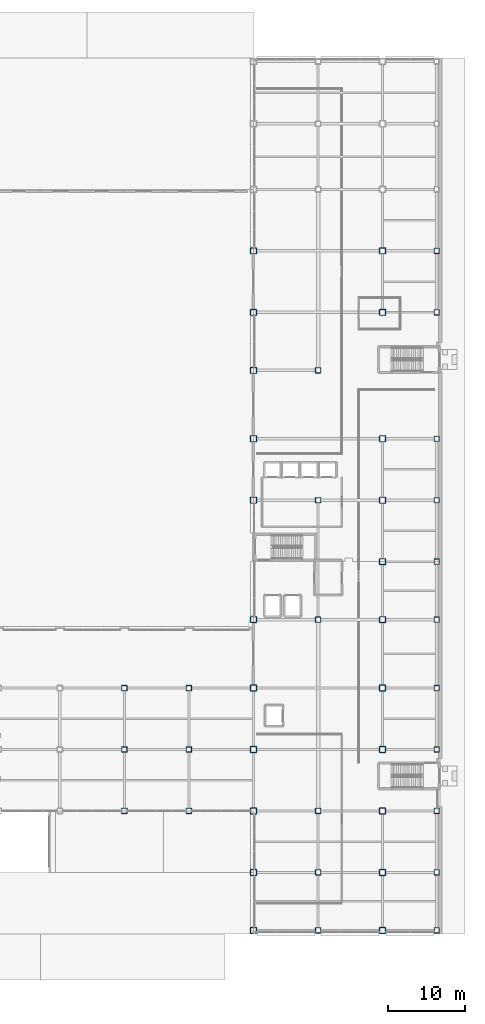
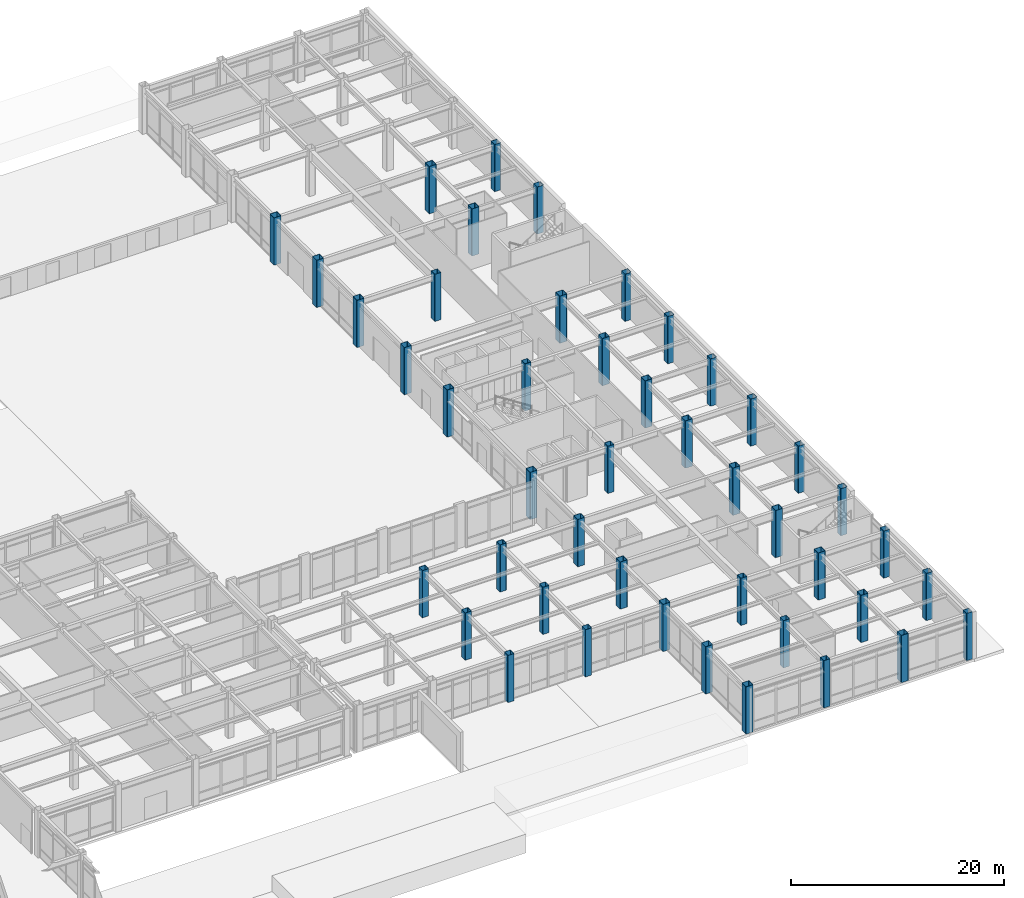
# One storey, part 6 of 165: 45 columns.
"""IFC4 building model written with IfcOpenShell, lengths in metres."""

import ifcopenshell
import ifcopenshell.guid

model = None  # the IFC model being written
_history = None  # IfcOwnerHistory: only IFC2X3 demands one
_inside = {}  # id of a spatial element -> (the spatial element, [elements in it])
_under = {}  # id of a project, library or spatial element -> (it, [spatial elements below it])
_declared = {}  # id of a project -> (the project, [libraries it declares])
_typed = {}  # id of a type object -> (the type object, [elements of that type])
_made_of = {}  # id of a material, layer set ... -> (it, [elements and type objects made of it])


def new_model(schema):
    """Start an empty IFC model of exactly this schema.

    Asked for "IFC4X3", IfcOpenShell would pick the latest addendum, in which some entities
    have other attributes; the version numbers below select the first issue.
    IFC2X3 requires an IfcOwnerHistory on every rooted entity: one is made here for all.
    """
    global model, _history
    if schema == "IFC4X3":
        model = ifcopenshell.file(schema_version=(4, 3, 0, 0))
    else:
        model = ifcopenshell.file(schema=schema)
    _inside.clear()
    _under.clear()
    _declared.clear()
    _typed.clear()
    _made_of.clear()
    _history = None
    if model.schema == "IFC2X3":
        org = make("IfcOrganization", Name="unknown")
        user = make(
            "IfcPersonAndOrganization",
            ThePerson=make("IfcPerson", FamilyName="unknown"),
            TheOrganization=org,
        )
        app = make(
            "IfcApplication",
            ApplicationDeveloper=org,
            Version="unknown",
            ApplicationFullName="unknown",
            ApplicationIdentifier="unknown",
        )
        _history = make(
            "IfcOwnerHistory",
            OwningUser=user,
            OwningApplication=app,
            ChangeAction="ADDED",
            CreationDate=0,
        )
    return model


def make(cls, **values):
    """One entity of the class cls with the attributes given. An attribute that is None is left unset."""
    return model.create_entity(
        cls, **{name: value for name, value in values.items() if value is not None}
    )


def rooted(cls, **values):
    """An entity with a GlobalId (a new one), such as an element, a storey or a relation."""
    return make(cls, GlobalId=ifcopenshell.guid.new(), OwnerHistory=_history, **values)


def si_unit(unit_type, name, prefix=None):
    """IfcSIUnit, for example si_unit("LENGTHUNIT", "METRE", prefix="MILLI")."""
    return make("IfcSIUnit", UnitType=unit_type, Prefix=prefix, Name=name)


def assignment(units):
    """IfcUnitAssignment: the units of a project."""
    return None if units is None else make("IfcUnitAssignment", Units=units)


def point(xyz):
    """IfcCartesianPoint."""
    return None if xyz is None else make("IfcCartesianPoint", Coordinates=xyz)


def direction(xyz):
    """IfcDirection."""
    return None if xyz is None else make("IfcDirection", DirectionRatios=xyz)


def frame(location, z_axis=None, x_axis=None):
    """IfcAxis2Placement3D, a coordinate frame: its origin and axes. An axis left out is left unset."""
    return make(
        "IfcAxis2Placement3D",
        Location=point(location),
        Axis=direction(z_axis),
        RefDirection=direction(x_axis),
    )


def frame_2d(location, x_axis=None):
    """IfcAxis2Placement2D, a coordinate frame in the plane: its origin and x axis."""
    return make(
        "IfcAxis2Placement2D", Location=point(location), RefDirection=direction(x_axis)
    )


def origin():
    """The frame at (0, 0, 0) with its axes left unset."""
    return frame((0.0, 0.0, 0.0))


def origin_2d():
    """The frame at (0, 0) in the plane with its x axis left unset."""
    return frame_2d((0.0, 0.0))


def place(relative_to, where):
    """IfcLocalPlacement: puts the frame where relative to a parent placement (None: the world)."""
    return make(
        "IfcLocalPlacement", PlacementRelTo=relative_to, RelativePlacement=where
    )


def context(
    kind, dimensions, precision=None, world=None, true_north=None, identifier=None
):
    """IfcGeometricRepresentationContext, for example the 3D "Model" context."""
    return make(
        "IfcGeometricRepresentationContext",
        ContextIdentifier=identifier,
        ContextType=kind,
        CoordinateSpaceDimension=dimensions,
        Precision=precision,
        WorldCoordinateSystem=world,
        TrueNorth=true_north,
    )


def subcontext(parent, identifier, kind, view, scale=None):
    """IfcGeometricRepresentationSubContext, for example "Body" below "Model"."""
    return make(
        "IfcGeometricRepresentationSubContext",
        ContextIdentifier=identifier,
        ContextType=kind,
        ParentContext=parent,
        TargetScale=scale,
        TargetView=view,
    )


def project(units=None, contexts=None):
    """IfcProject with its units and contexts."""
    return rooted(
        "IfcProject",
        Name="project",
        RepresentationContexts=contexts,
        UnitsInContext=assignment(units),
    )


def spatial(cls, under=None, at=None, **own):
    """A site, building, storey or space (cls), placed at a placement, below another one or the project."""
    s = rooted(cls, ObjectPlacement=at, **own)
    if under is not None:
        _under.setdefault(under.id(), (under, []))[1].append(s)
    return s


def profile(cls, at=None, kind="AREA", **sizes):
    """A parametric profile (cls). Its sizes go by their IFC names, for example OverallWidth=200.0."""
    return make(cls, ProfileType=kind, Position=at, **sizes)


def hollow_rectangle(**sizes):
    """IfcRectangleHollowProfileDef."""
    return profile("IfcRectangleHollowProfileDef", **sizes)


def extrude(swept, where, along, depth):
    """IfcExtrudedAreaSolid: the profile swept, set in the frame where, extruded along a direction by depth."""
    return make(
        "IfcExtrudedAreaSolid",
        SweptArea=swept,
        Position=where,
        ExtrudedDirection=direction(along),
        Depth=depth,
    )


def shape(context_of_items, identifier, shape_type, items):
    """IfcShapeRepresentation: the items that make up one representation, for example the "Body"."""
    return make(
        "IfcShapeRepresentation",
        ContextOfItems=context_of_items,
        RepresentationIdentifier=identifier,
        RepresentationType=shape_type,
        Items=items,
    )


def material(Name=None, Category=None):
    """IfcMaterial."""
    return make("IfcMaterial", Name=Name, Category=Category)


def material_profile(
    of_material, cross_section, Name=None, Category=None, Priority=None
):
    """IfcMaterialProfile: a cross section and its material."""
    return make(
        "IfcMaterialProfile",
        Name=Name,
        Material=of_material,
        Profile=cross_section,
        Priority=Priority,
        Category=Category,
    )


def profile_set(profiles, Name=None, composite=None):
    """IfcMaterialProfileSet."""
    return make(
        "IfcMaterialProfileSet",
        Name=Name,
        MaterialProfiles=profiles,
        CompositeProfile=composite,
    )


def made_of(thing, what):
    """Note that an element or type object is made of a material, layer set ...; save() writes the relation."""
    if what is not None:
        _made_of.setdefault(what.id(), (what, []))[1].append(thing)
    return thing


def type_object(cls, material=None, **own):
    """A type object (cls), such as IfcWallType, which elements share."""
    return made_of(rooted(cls, **own), material)


def element(
    cls,
    number,
    at=None,
    inside=None,
    cuts=None,
    type_object=None,
    material=None,
    context=None,
    identifier="Body",
    shape_type=None,
    held_by="IfcProductDefinitionShape",
    body=None,
    shapes=None,
    **own,
):
    """One element of the class cls, such as IfcWall. Its Tag is "e" and its number.

    at: its placement. inside: the storey or other place that contains it. cuts: it is an
    opening in that element (IfcRelVoidsElement). A single representation is given by context,
    identifier, shape_type and body (its items); several are given by shapes. held_by: the class
    of the entity that holds the representations. save() writes the other relations.
    """
    e = rooted(cls, Tag="e%d" % number, ObjectPlacement=at, **own)
    if body is not None:
        shapes = [shape(context, identifier, shape_type, body)]
    if shapes is not None:
        e.Representation = make(held_by, Representations=shapes)
    if inside is not None:
        _inside.setdefault(inside.id(), (inside, []))[1].append(e)
    if cuts is not None:
        rooted(
            "IfcRelVoidsElement", RelatingBuildingElement=cuts, RelatedOpeningElement=e
        )
    if type_object is not None:
        _typed.setdefault(type_object.id(), (type_object, []))[1].append(e)
    return made_of(e, material)


def aggregate(whole, parts):
    """IfcRelAggregates: a whole, such as a stair, and the parts it consists of."""
    return rooted("IfcRelAggregates", RelatingObject=whole, RelatedObjects=parts)


def save(model, path):
    """Write the relations noted so far, then the file.

    IfcRelAggregates (storeys below a building ...), IfcRelContainedInSpatialStructure (elements
    in a storey), IfcRelDefinesByType, IfcRelAssociatesMaterial and IfcRelDeclares: one each for
    every whole, place, type object, material and project.
    """
    for whole, parts in _under.values():
        aggregate(whole, parts)
    for where, things in _inside.values():
        rooted(
            "IfcRelContainedInSpatialStructure",
            RelatedElements=things,
            RelatingStructure=where,
        )
    for kind, things in _typed.values():
        rooted("IfcRelDefinesByType", RelatedObjects=things, RelatingType=kind)
    for what, things in _made_of.values():
        rooted("IfcRelAssociatesMaterial", RelatedObjects=things, RelatingMaterial=what)
    for by, libraries in _declared.values():
        rooted("IfcRelDeclares", RelatingContext=by, RelatedDefinitions=libraries)
    model.write(path)


model = new_model("IFC4")

# Units and contexts
model_context = context("Model", 3, precision=1e-05, world=origin(), true_north=direction((0.0, 1.0)))
body_context = subcontext(model_context, "Body", "Model", "MODEL_VIEW")
ifc_project = project(units=[si_unit("LENGTHUNIT", "METRE"), si_unit("AREAUNIT", "SQUARE_METRE"), si_unit("VOLUMEUNIT", "CUBIC_METRE"), si_unit("PLANEANGLEUNIT", "RADIAN"), si_unit("MASSUNIT", "GRAM", prefix="KILO")], contexts=[model_context])

# Site, building, storey
site_placement = place(None, origin())
site = spatial("IfcSite", under=ifc_project, at=site_placement, CompositionType="ELEMENT")
building_placement = place(site_placement, origin())
building = spatial("IfcBuilding", under=site, at=building_placement, Name="Kazehara Bluff Congress Hotel", CompositionType="ELEMENT")
storey_placement = place(building_placement, origin())
storey = spatial("IfcBuildingStorey", under=building, at=storey_placement, Name="L00", CompositionType="ELEMENT", Elevation=0.0)

# Columns
ifc_material_1 = material(Name="Steel BCR295", Category="steel")
ifc_material_profile_1 = material_profile(ifc_material_1, hollow_rectangle(XDim=0.800048828125, YDim=0.800048828125, WallThickness=0.031982421875, InnerFilletRadius=0.031982421875, OuterFilletRadius=0.06396484375, at=origin_2d()))
ifc_profile_set_1 = profile_set([ifc_material_profile_1], Name="Steel BCR295")
column_type_1 = type_object("IfcColumnType", Name="TP-C-02", PredefinedType="COLUMN", material=ifc_profile_set_1)
for number, where, z_axis, x_axis, name in (
    (1, (143.699951171875, 0.449951171875, 0.0), (0.0, 0.0, 1.0), (1.0, 0.0, 0.0), "L00 column C-02 (143.70,0.45)"),
    (2, (143.699951171875, 8.0, 0.0), (0.0, 0.0, 1.0), (1.0, 0.0, 0.0), "L00 column C-02 (143.70,8.00)"),
    (3, (143.699951171875, 16.0, 0.0), (0.0, 0.0, 1.0), (1.0, 0.0, 0.0), "L00 column C-02 (143.70,16.00)"),
    (4, (143.699951171875, 24.0, 0.0), (0.0, 0.0, 1.0), (1.0, 0.0, 0.0), "L00 column C-02 (143.70,24.00)"),
    (5, (143.699951171875, 32.0, 0.0), (0.0, 0.0, 1.0), (1.0, 0.0, 0.0), "L00 column C-02 (143.70,32.00)"),
    (6, (143.699951171875, 40.89990234375, 0.0), (0.0, 0.0, 1.0), (1.0, 0.0, 0.0), "L00 column C-02 (143.70,40.90)"),
    (7, (143.699951171875, 56.449951171875, 0.0), (0.0, 0.0, 1.0), (1.0, 0.0, 0.0), "L00 column C-02 (143.70,56.45)"),
    (8, (143.699951171875, 64.449951171875, 0.0), (0.0, 0.0, 1.0), (1.0, 0.0, 0.0), "L00 column C-02 (143.70,64.45)"),
    (9, (143.699951171875, 73.35009765625, 0.0), (0.0, 0.0, 1.0), (1.0, 0.0, 0.0), "L00 column C-02 (143.70,73.35)"),
    (10, (143.699951171875, 80.89990234375, 0.0), (0.0, 0.0, 1.0), (1.0, 0.0, 0.0), "L00 column C-02 (143.70,80.90)"),
    (11, (143.699951171875, 88.89990234375, 0.0), (0.0, 0.0, 1.0), (1.0, 0.0, 0.0), "L00 column C-02 (143.70,88.90)"),
    (12, (160.5, 0.449951171875, 0.0), (0.0, 0.0, 1.0), (1.0, 0.0, 0.0), "L00 column C-02 (160.50,0.45)"),
    (13, (160.5, 8.0, 0.0), (0.0, 0.0, 1.0), (1.0, 0.0, 0.0), "L00 column C-02 (160.50,8.00)"),
    (14, (160.5, 16.0, 0.0), (0.0, 0.0, 1.0), (1.0, 0.0, 0.0), "L00 column C-02 (160.50,16.00)"),
    (15, (160.5, 24.0, 0.0), (0.0, 0.0, 1.0), (1.0, 0.0, 0.0), "L00 column C-02 (160.50,24.00)"),
    (16, (160.5, 32.0, 0.0), (0.0, 0.0, 1.0), (1.0, 0.0, 0.0), "L00 column C-02 (160.50,32.00)"),
    (17, (160.5, 40.89990234375, 0.0), (0.0, 0.0, 1.0), (1.0, 0.0, 0.0), "L00 column C-02 (160.50,40.90)"),
    (18, (160.5, 48.449951171875, 0.0), (0.0, 0.0, 1.0), (1.0, 0.0, 0.0), "L00 column C-02 (160.50,48.45)"),
    (19, (160.5, 56.449951171875, 0.0), (0.0, 0.0, 1.0), (1.0, 0.0, 0.0), "L00 column C-02 (160.50,56.45)"),
    (20, (160.5, 64.449951171875, 0.0), (0.0, 0.0, 1.0), (1.0, 0.0, 0.0), "L00 column C-02 (160.50,64.45)"),
    (21, (160.5, 80.89990234375, 0.0), (0.0, 0.0, 1.0), (1.0, 0.0, 0.0), "L00 column C-02 (160.50,80.90)"),
    (22, (160.5, 88.89990234375, 0.0), (0.0, 0.0, 1.0), (1.0, 0.0, 0.0), "L00 column C-02 (160.50,88.90)"),
):
    element("IfcColumn", number, at=place(storey_placement, frame(where, z_axis=z_axis, x_axis=x_axis)), inside=storey, type_object=column_type_1, Name=name, PredefinedType="COLUMN", context=body_context, shape_type="SweptSolid", body=[
        extrude(hollow_rectangle(XDim=0.800048828125, YDim=0.800048828125, WallThickness=0.031982421875, InnerFilletRadius=0.031982421875, OuterFilletRadius=0.06396484375, at=origin_2d()), origin(), (0.0, 0.0, 1.0), 5.39990234375),
    ])
ifc_material_2 = material(Name="Steel BCR295", Category="steel")
ifc_material_profile_2 = material_profile(ifc_material_2, hollow_rectangle(XDim=0.699951171875, YDim=0.699951171875, WallThickness=0.028076171875, InnerFilletRadius=0.028076171875, OuterFilletRadius=0.055908203125, at=origin_2d()))
ifc_profile_set_2 = profile_set([ifc_material_profile_2], Name="Steel BCR295")
column_type_2 = type_object("IfcColumnType", Name="TP-C-03", PredefinedType="COLUMN", material=ifc_profile_set_2)
for number, where, z_axis, x_axis, name in (
    (23, (126.89990234375, 16.0, 0.0), (0.0, 0.0, 1.0), (1.0, 0.0, 0.0), "L00 column C-03 (126.90,16.00)"),
    (24, (126.89990234375, 24.0, 0.0), (0.0, 0.0, 1.0), (1.0, 0.0, 0.0), "L00 column C-03 (126.90,24.00)"),
    (25, (126.89990234375, 32.0, 0.0), (0.0, 0.0, 1.0), (1.0, 0.0, 0.0), "L00 column C-03 (126.90,32.00)"),
    (26, (135.300048828125, 16.0, 0.0), (0.0, 0.0, 1.0), (1.0, 0.0, 0.0), "L00 column C-03 (135.30,16.00)"),
    (27, (135.300048828125, 24.0, 0.0), (0.0, 0.0, 1.0), (1.0, 0.0, 0.0), "L00 column C-03 (135.30,24.00)"),
    (28, (135.300048828125, 32.0, 0.0), (0.0, 0.0, 1.0), (1.0, 0.0, 0.0), "L00 column C-03 (135.30,32.00)"),
    (29, (152.10009765625, 0.449951171875, 0.0), (0.0, 0.0, 1.0), (1.0, 0.0, 0.0), "L00 column C-03 (152.10,0.45)"),
    (30, (152.10009765625, 8.0, 0.0), (0.0, 0.0, 1.0), (1.0, 0.0, 0.0), "L00 column C-03 (152.10,8.00)"),
    (31, (152.10009765625, 16.0, 0.0), (0.0, 0.0, 1.0), (1.0, 0.0, 0.0), "L00 column C-03 (152.10,16.00)"),
    (32, (152.10009765625, 40.89990234375, 0.0), (0.0, 0.0, 1.0), (1.0, 0.0, 0.0), "L00 column C-03 (152.10,40.90)"),
    (33, (152.10009765625, 56.449951171875, 0.0), (0.0, 0.0, 1.0), (1.0, 0.0, 0.0), "L00 column C-03 (152.10,56.45)"),
    (34, (152.10009765625, 73.35009765625, 0.0), (0.0, 0.0, 1.0), (1.0, 0.0, 0.0), "L00 column C-03 (152.10,73.35)"),
    (35, (167.550048828125, 0.449951171875, 0.0), (0.0, 0.0, 1.0), (1.0, 0.0, 0.0), "L00 column C-03 (167.55,0.45)"),
    (36, (167.550048828125, 8.0, 0.0), (0.0, 0.0, 1.0), (1.0, 0.0, 0.0), "L00 column C-03 (167.55,8.00)"),
    (37, (167.550048828125, 16.0, 0.0), (0.0, 0.0, 1.0), (1.0, 0.0, 0.0), "L00 column C-03 (167.55,16.00)"),
    (38, (167.550048828125, 24.0, 0.0), (0.0, 0.0, 1.0), (1.0, 0.0, 0.0), "L00 column C-03 (167.55,24.00)"),
    (39, (167.550048828125, 32.0, 0.0), (0.0, 0.0, 1.0), (1.0, 0.0, 0.0), "L00 column C-03 (167.55,32.00)"),
    (40, (167.550048828125, 40.89990234375, 0.0), (0.0, 0.0, 1.0), (1.0, 0.0, 0.0), "L00 column C-03 (167.55,40.90)"),
    (41, (167.550048828125, 48.449951171875, 0.0), (0.0, 0.0, 1.0), (1.0, 0.0, 0.0), "L00 column C-03 (167.55,48.45)"),
    (42, (167.550048828125, 56.449951171875, 0.0), (0.0, 0.0, 1.0), (1.0, 0.0, 0.0), "L00 column C-03 (167.55,56.45)"),
    (43, (167.550048828125, 64.449951171875, 0.0), (0.0, 0.0, 1.0), (1.0, 0.0, 0.0), "L00 column C-03 (167.55,64.45)"),
    (44, (167.550048828125, 80.89990234375, 0.0), (0.0, 0.0, 1.0), (1.0, 0.0, 0.0), "L00 column C-03 (167.55,80.90)"),
    (45, (167.550048828125, 88.89990234375, 0.0), (0.0, 0.0, 1.0), (1.0, 0.0, 0.0), "L00 column C-03 (167.55,88.90)"),
):
    element("IfcColumn", number, at=place(storey_placement, frame(where, z_axis=z_axis, x_axis=x_axis)), inside=storey, type_object=column_type_2, Name=name, PredefinedType="COLUMN", context=body_context, shape_type="SweptSolid", body=[
        extrude(hollow_rectangle(XDim=0.699951171875, YDim=0.699951171875, WallThickness=0.028076171875, InnerFilletRadius=0.028076171875, OuterFilletRadius=0.055908203125, at=origin_2d()), origin(), (0.0, 0.0, 1.0), 5.39990234375),
    ])

save(model, "model.ifc")
